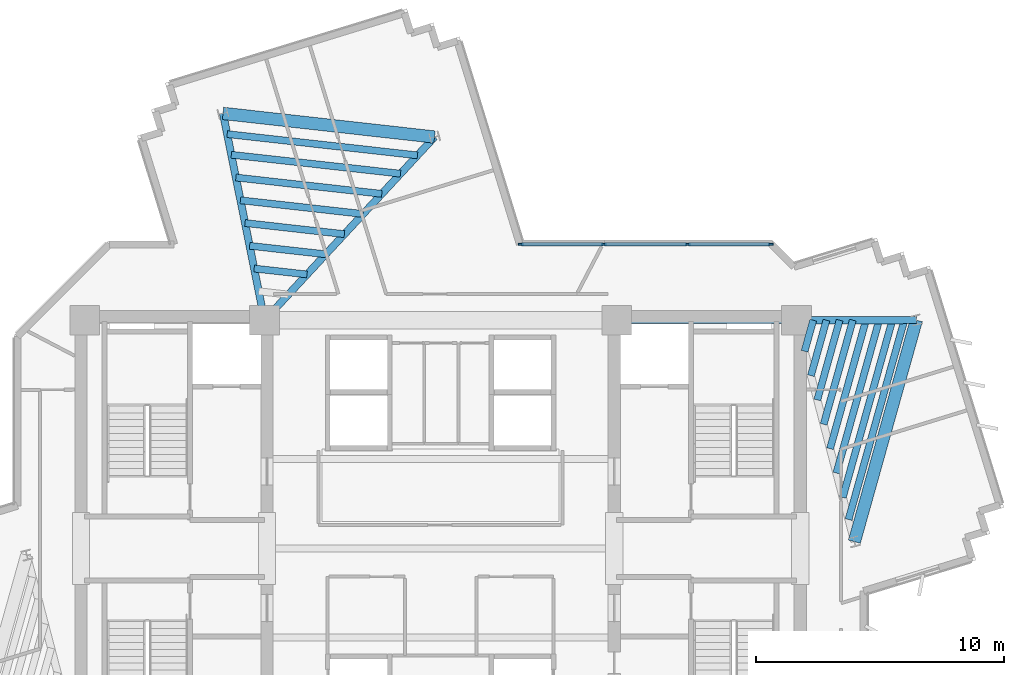
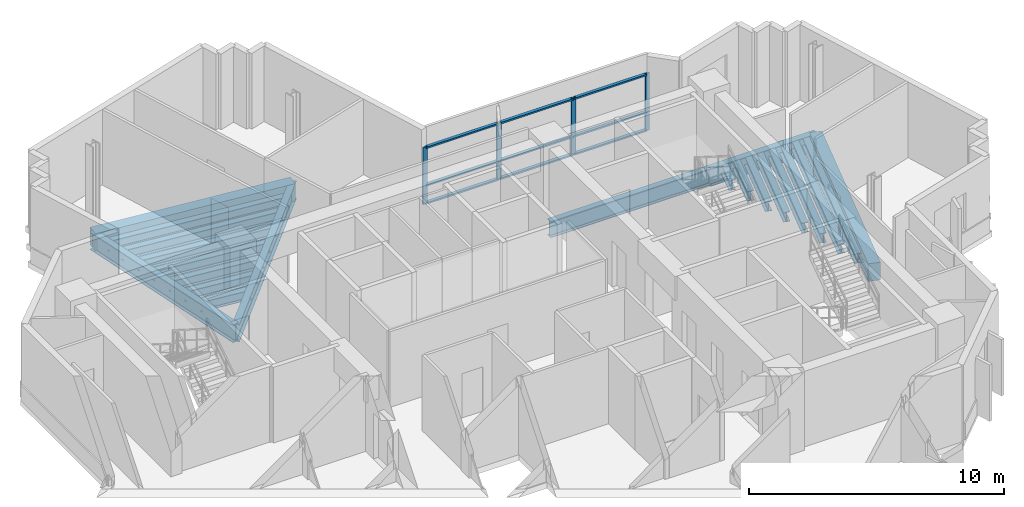
# One storey, part 3 of 13: 21 beams, 13 members, 1 element without a shape of its own.
"""IFC4 building model written with IfcOpenShell, lengths in metres."""

from ifc_helpers import new_model, si_unit, direction, frame, origin, origin_2d, place, context, subcontext, project, spatial, rectangle, i_section, extrude, source, transform, mapped, material, layer, layer_set, material_profile, profile_set, type_object, element, aggregate, save


model = new_model("IFC4")

# Units and contexts
model_context = context("Model", 3, precision=1e-05, world=origin(), true_north=direction((0.0, 1.0)))
body_context = subcontext(model_context, "Body", "Model", "MODEL_VIEW")
ifc_project = project(units=[si_unit("LENGTHUNIT", "METRE"), si_unit("AREAUNIT", "SQUARE_METRE"), si_unit("VOLUMEUNIT", "CUBIC_METRE"), si_unit("PLANEANGLEUNIT", "RADIAN"), si_unit("MASSUNIT", "GRAM", prefix="KILO")], contexts=[model_context])

# Site, building, storey
site_placement = place(None, origin())
site = spatial("IfcSite", under=ifc_project, at=site_placement, CompositionType="ELEMENT")
building_placement = place(site_placement, origin())
building = spatial("IfcBuilding", under=site, at=building_placement, Name="Zahravan Cultural Tower", CompositionType="ELEMENT")
storey_placement = place(building_placement, frame((0.0, 0.0, 213.60009765625)))
storey = spatial("IfcBuildingStorey", under=building, at=storey_placement, Name="L50", CompositionType="ELEMENT", Elevation=213.60009765625)

# Beams
ifc_material_1 = material(Name="Steel ASTM A992 Grade 50", Category="steel")
ifc_material_profile_1 = material_profile(ifc_material_1, i_section(OverallWidth=0.26611328125, OverallDepth=0.780029296875, WebThickness=0.0166015625, FlangeThickness=0.030029296875, FilletRadius=0.01904296875, at=origin_2d()), Name="W30X148")
ifc_profile_set_1 = profile_set([ifc_material_profile_1], Name="Steel ASTM A992 Grade 50")
beam_type_1 = type_object("IfcBeamType", Name="BM-G-W30X148", PredefinedType="BEAM", material=ifc_profile_set_1)
shared_shape_1 = source(origin(), body_context, "Body", "SweptSolid", [
    extrude(i_section(OverallWidth=0.26611328125, OverallDepth=0.780029296875, WebThickness=0.0166015625, FlangeThickness=0.030029296875, FilletRadius=0.01904296875, at=origin_2d()), origin(), (0.0, 0.0, 1.0), 7.25),
])
beam_1_placement = place(storey_placement, frame((43.10009765625, 36.199951171875, -0.670166015625), z_axis=(1.0, 0.0, 0.0), x_axis=(0.0, 1.0, 0.0)))
element("IfcBeam", 1, at=beam_1_placement, inside=storey, type_object=beam_type_1, Name="L50 Beam BG-L50-05", PredefinedType="BEAM", context=body_context, shape_type="MappedRepresentation", body=[
    mapped(shared_shape_1, transform((0.0, 0.0, 0.0), x_axis=(1.0, 0.0, 0.0), y_axis=(0.0, 1.0, 0.0), z_axis=(0.0, 0.0, 1.0), scale=1.0)),
])
ifc_material_2 = material(Name="Concrete C50/60", Category="concrete")
ifc_material_profile_2 = material_profile(ifc_material_2, rectangle(XDim=0.5, YDim=0.85009765625, at=origin_2d()), Name="RC500X850")
ifc_profile_set_2 = profile_set([ifc_material_profile_2], Name="Concrete C50/60")
beam_type_2 = type_object("IfcBeamType", Name="BM-SP-RC500X850", PredefinedType="SPANDREL", material=ifc_profile_set_2)
shared_shape_2 = source(origin(), body_context, "Body", "SweptSolid", [
    extrude(rectangle(XDim=0.5, YDim=0.85009765625, at=origin_2d()), origin(), (0.0, 0.0, 1.0), 9.2783203125),
])
beam_2_placement = place(storey_placement, frame((52.684326171875, 27.27099609375, -0.705078125), z_axis=(0.269497187032, 0.963001176625, 0.0), x_axis=(-0.963001176625, 0.269497187032, 0.0)))
element("IfcBeam", 2, at=beam_2_placement, inside=storey, type_object=beam_type_2, Name="L50 Beam SP-L50-17", PredefinedType="SPANDREL", context=body_context, shape_type="MappedRepresentation", body=[
    mapped(shared_shape_2, transform((0.0, 0.0, 0.0), x_axis=(1.0, 0.0, 0.0), y_axis=(0.0, 1.0, 0.0), z_axis=(0.0, 0.0, 1.0), scale=1.0)),
])
shared_shape_3 = source(origin(), body_context, "Body", "SweptSolid", [
    extrude(rectangle(XDim=0.5, YDim=0.85009765625, at=origin_2d()), origin(), (0.0, 0.0, 1.0), 8.579833984375),
])
beam_3_placement = place(storey_placement, frame((35.754638671875, 43.587646484375, -0.705078125), z_axis=(-0.9938040105, 0.11114669907, 0.0), x_axis=(-0.11114669907, -0.9938040105, 0.0)))
element("IfcBeam", 3, at=beam_3_placement, inside=storey, type_object=beam_type_2, Name="L50 Beam SP-L50-18", PredefinedType="SPANDREL", context=body_context, shape_type="MappedRepresentation", body=[
    mapped(shared_shape_3, transform((0.0, 0.0, 0.0), x_axis=(1.0, 0.0, 0.0), y_axis=(0.0, 1.0, 0.0), z_axis=(0.0, 0.0, 1.0), scale=1.0)),
])
ifc_material_profile_3 = material_profile(ifc_material_1, i_section(OverallWidth=0.29296875, OverallDepth=0.845947265625, WebThickness=0.015380859375, FlangeThickness=0.0244140625, FilletRadius=0.02001953125, at=origin_2d()), Name="W33X141")
ifc_profile_set_3 = profile_set([ifc_material_profile_3], Name="Steel ASTM A992 Grade 50")
beam_type_3 = type_object("IfcBeamType", Name="BM-G-W33X141", PredefinedType="BEAM", material=ifc_profile_set_3)
shared_shape_4 = source(origin(), body_context, "Body", "SweptSolid", [
    extrude(i_section(OverallWidth=0.29296875, OverallDepth=0.845947265625, WebThickness=0.015380859375, FlangeThickness=0.0244140625, FilletRadius=0.02001953125, at=origin_2d()), origin(), (0.0, 0.0, 1.0), 4.834716796875),
])
beam_4_placement = place(storey_placement, frame((50.35009765625, 36.199951171875, -0.703125), z_axis=(0.99999920313, 0.001262433979, 0.0), x_axis=(-0.001262433979, 0.99999920313, 0.0)))
element("IfcBeam", 4, at=beam_4_placement, inside=storey, type_object=beam_type_3, Name="L50 Beam BG-L50-12", PredefinedType="BEAM", context=body_context, shape_type="MappedRepresentation", body=[
    mapped(shared_shape_4, transform((0.0, 0.0, 0.0), x_axis=(1.0, 0.0, 0.0), y_axis=(0.0, 1.0, 0.0), z_axis=(0.0, 0.0, 1.0), scale=1.0)),
])
shared_shape_5 = source(origin(), body_context, "Body", "SweptSolid", [
    extrude(i_section(OverallWidth=0.29296875, OverallDepth=0.845947265625, WebThickness=0.015380859375, FlangeThickness=0.0244140625, FilletRadius=0.02001953125, at=origin_2d()), origin(), (0.0, 0.0, 1.0), 10.077880859375),
])
beam_5_placement = place(storey_placement, frame((28.89990234375, 36.199951171875, -0.703125), z_axis=(0.680170435587, 0.733054007938, 0.0), x_axis=(-0.733054007938, 0.680170435587, 0.0)))
element("IfcBeam", 5, at=beam_5_placement, inside=storey, type_object=beam_type_3, Name="L50 Beam BG-L50-13", PredefinedType="BEAM", context=body_context, shape_type="MappedRepresentation", body=[
    mapped(shared_shape_5, transform((0.0, 0.0, 0.0), x_axis=(1.0, 0.0, 0.0), y_axis=(0.0, 1.0, 0.0), z_axis=(0.0, 0.0, 1.0), scale=1.0)),
])
shared_shape_6 = source(origin(), body_context, "Body", "SweptSolid", [
    extrude(i_section(OverallWidth=0.29296875, OverallDepth=0.845947265625, WebThickness=0.015380859375, FlangeThickness=0.0244140625, FilletRadius=0.02001953125, at=origin_2d()), origin(), (0.0, 0.0, 1.0), 8.50732421875),
])
beam_6_placement = place(storey_placement, frame((28.89990234375, 36.199951171875, -0.703125), z_axis=(-0.196524514012, 0.980498911469, 0.0), x_axis=(-0.980498911469, -0.196524514012, 0.0)))
element("IfcBeam", 6, at=beam_6_placement, inside=storey, type_object=beam_type_3, Name="L50 Beam BG-L50-14", PredefinedType="BEAM", context=body_context, shape_type="MappedRepresentation", body=[
    mapped(shared_shape_6, transform((0.0, 0.0, 0.0), x_axis=(1.0, 0.0, 0.0), y_axis=(0.0, 1.0, 0.0), z_axis=(0.0, 0.0, 1.0), scale=1.0)),
])
ifc_material_profile_4 = material_profile(ifc_material_1, i_section(OverallWidth=0.280029296875, OverallDepth=0.462890625, WebThickness=0.0107421875, FlangeThickness=0.017333984375, FilletRadius=0.012939453125, at=origin_2d()), Name="W18X76")
ifc_profile_set_4 = profile_set([ifc_material_profile_4], Name="Steel ASTM A992 Grade 50")
beam_type_4 = type_object("IfcBeamType", Name="BM-J-W18X76", PredefinedType="JOIST", material=ifc_profile_set_4)
shared_shape_7 = source(origin(), body_context, "Body", "SweptSolid", [
    extrude(i_section(OverallWidth=0.280029296875, OverallDepth=0.462890625, WebThickness=0.0107421875, FlangeThickness=0.017333984375, FilletRadius=0.012939453125, at=origin_2d()), origin(), (0.0, 0.0, 1.0), 1.299072265625),
])
beam_7_placement = place(storey_placement, frame((50.6767578125, 34.949951171875, -0.51171875), z_axis=(0.269504444708, 0.962999145525, 0.0), x_axis=(-0.962999145525, 0.269504444708, 0.0)))
element("IfcBeam", 7, at=beam_7_placement, inside=storey, type_object=beam_type_4, Name="L50 Beam BJ-L50-38", PredefinedType="JOIST", context=body_context, shape_type="MappedRepresentation", body=[
    mapped(shared_shape_7, transform((0.0, 0.0, 0.0), x_axis=(1.0, 0.0, 0.0), y_axis=(0.0, 1.0, 0.0), z_axis=(0.0, 0.0, 1.0), scale=1.0)),
])
shared_shape_8 = source(origin(), body_context, "Body", "SweptSolid", [
    extrude(i_section(OverallWidth=0.280029296875, OverallDepth=0.462890625, WebThickness=0.0107421875, FlangeThickness=0.017333984375, FilletRadius=0.012939453125, at=origin_2d()), origin(), (0.0, 0.0, 1.0), 2.3193359375),
])
beam_8_placement = place(storey_placement, frame((50.93359375, 33.9677734375, -0.51171875), z_axis=(0.269462038626, 0.963011012263, 0.0), x_axis=(-0.963011012263, 0.269462038626, 0.0)))
element("IfcBeam", 8, at=beam_8_placement, inside=storey, type_object=beam_type_4, Name="L50 Beam BJ-L50-39", PredefinedType="JOIST", context=body_context, shape_type="MappedRepresentation", body=[
    mapped(shared_shape_8, transform((0.0, 0.0, 0.0), x_axis=(1.0, 0.0, 0.0), y_axis=(0.0, 1.0, 0.0), z_axis=(0.0, 0.0, 1.0), scale=1.0)),
])
shared_shape_9 = source(origin(), body_context, "Body", "SweptSolid", [
    extrude(i_section(OverallWidth=0.280029296875, OverallDepth=0.462890625, WebThickness=0.0107421875, FlangeThickness=0.017333984375, FilletRadius=0.012939453125, at=origin_2d()), origin(), (0.0, 0.0, 1.0), 3.340087890625),
])
beam_9_placement = place(storey_placement, frame((51.190185546875, 32.985595703125, -0.51171875), z_axis=(0.269562146951, 0.962982995141, 0.0), x_axis=(-0.962982995141, 0.269562146951, 0.0)))
element("IfcBeam", 9, at=beam_9_placement, inside=storey, type_object=beam_type_4, Name="L50 Beam BJ-L50-40", PredefinedType="JOIST", context=body_context, shape_type="MappedRepresentation", body=[
    mapped(shared_shape_9, transform((0.0, 0.0, 0.0), x_axis=(1.0, 0.0, 0.0), y_axis=(0.0, 1.0, 0.0), z_axis=(0.0, 0.0, 1.0), scale=1.0)),
])
shared_shape_10 = source(origin(), body_context, "Body", "SweptSolid", [
    extrude(i_section(OverallWidth=0.280029296875, OverallDepth=0.462890625, WebThickness=0.0107421875, FlangeThickness=0.017333984375, FilletRadius=0.012939453125, at=origin_2d()), origin(), (0.0, 0.0, 1.0), 4.36083984375),
])
beam_10_placement = place(storey_placement, frame((51.447021484375, 32.00341796875, -0.51171875), z_axis=(0.269511557673, 0.962997154866, 0.0), x_axis=(-0.962997154866, 0.269511557673, 0.0)))
element("IfcBeam", 10, at=beam_10_placement, inside=storey, type_object=beam_type_4, Name="L50 Beam BJ-L50-41", PredefinedType="JOIST", context=body_context, shape_type="MappedRepresentation", body=[
    mapped(shared_shape_10, transform((0.0, 0.0, 0.0), x_axis=(1.0, 0.0, 0.0), y_axis=(0.0, 1.0, 0.0), z_axis=(0.0, 0.0, 1.0), scale=1.0)),
])
shared_shape_11 = source(origin(), body_context, "Body", "SweptSolid", [
    extrude(i_section(OverallWidth=0.280029296875, OverallDepth=0.462890625, WebThickness=0.0107421875, FlangeThickness=0.017333984375, FilletRadius=0.012939453125, at=origin_2d()), origin(), (0.0, 0.0, 1.0), 5.3818359375),
])
beam_11_placement = place(storey_placement, frame((51.703857421875, 31.02099609375, -0.51171875), z_axis=(0.269510454638, 0.962997463569, 0.0), x_axis=(-0.962997463569, 0.269510454638, 0.0)))
element("IfcBeam", 11, at=beam_11_placement, inside=storey, type_object=beam_type_4, Name="L50 Beam BJ-L50-42", PredefinedType="JOIST", context=body_context, shape_type="MappedRepresentation", body=[
    mapped(shared_shape_11, transform((0.0, 0.0, 0.0), x_axis=(1.0, 0.0, 0.0), y_axis=(0.0, 1.0, 0.0), z_axis=(0.0, 0.0, 1.0), scale=1.0)),
])
shared_shape_12 = source(origin(), body_context, "Body", "SweptSolid", [
    extrude(i_section(OverallWidth=0.280029296875, OverallDepth=0.462890625, WebThickness=0.0107421875, FlangeThickness=0.017333984375, FilletRadius=0.012939453125, at=origin_2d()), origin(), (0.0, 0.0, 1.0), 6.402099609375),
])
beam_12_placement = place(storey_placement, frame((51.960693359375, 30.038818359375, -0.51171875), z_axis=(0.269494133533, 0.963002031146, 0.0), x_axis=(-0.963002031146, 0.269494133533, 0.0)))
element("IfcBeam", 12, at=beam_12_placement, inside=storey, type_object=beam_type_4, Name="L50 Beam BJ-L50-43", PredefinedType="JOIST", context=body_context, shape_type="MappedRepresentation", body=[
    mapped(shared_shape_12, transform((0.0, 0.0, 0.0), x_axis=(1.0, 0.0, 0.0), y_axis=(0.0, 1.0, 0.0), z_axis=(0.0, 0.0, 1.0), scale=1.0)),
])
shared_shape_13 = source(origin(), body_context, "Body", "SweptSolid", [
    extrude(i_section(OverallWidth=0.280029296875, OverallDepth=0.462890625, WebThickness=0.0107421875, FlangeThickness=0.017333984375, FilletRadius=0.012939453125, at=origin_2d()), origin(), (0.0, 0.0, 1.0), 7.4228515625),
])
beam_13_placement = place(storey_placement, frame((52.21728515625, 29.056640625, -0.51171875), z_axis=(0.269504266128, 0.962999195503, 0.0), x_axis=(-0.962999195503, 0.269504266128, 0.0)))
element("IfcBeam", 13, at=beam_13_placement, inside=storey, type_object=beam_type_4, Name="L50 Beam BJ-L50-44", PredefinedType="JOIST", context=body_context, shape_type="MappedRepresentation", body=[
    mapped(shared_shape_13, transform((0.0, 0.0, 0.0), x_axis=(1.0, 0.0, 0.0), y_axis=(0.0, 1.0, 0.0), z_axis=(0.0, 0.0, 1.0), scale=1.0)),
])
shared_shape_14 = source(origin(), body_context, "Body", "SweptSolid", [
    extrude(i_section(OverallWidth=0.280029296875, OverallDepth=0.462890625, WebThickness=0.0107421875, FlangeThickness=0.017333984375, FilletRadius=0.012939453125, at=origin_2d()), origin(), (0.0, 0.0, 1.0), 8.350830078125),
])
beam_14_placement = place(storey_placement, frame((52.450927734375, 28.163818359375, -0.51171875), z_axis=(0.269496539555, 0.963001357822, 0.0), x_axis=(-0.963001357822, 0.269496539555, 0.0)))
element("IfcBeam", 14, at=beam_14_placement, inside=storey, type_object=beam_type_4, Name="L50 Beam BJ-L50-45", PredefinedType="JOIST", context=body_context, shape_type="MappedRepresentation", body=[
    mapped(shared_shape_14, transform((0.0, 0.0, 0.0), x_axis=(1.0, 0.0, 0.0), y_axis=(0.0, 1.0, 0.0), z_axis=(0.0, 0.0, 1.0), scale=1.0)),
])
shared_shape_15 = source(origin(), body_context, "Body", "SweptSolid", [
    extrude(i_section(OverallWidth=0.280029296875, OverallDepth=0.462890625, WebThickness=0.0107421875, FlangeThickness=0.017333984375, FilletRadius=0.012939453125, at=origin_2d()), origin(), (0.0, 0.0, 1.0), 2.144775390625),
])
beam_15_placement = place(storey_placement, frame((30.613525390625, 38.046875, -0.51171875), z_axis=(-0.993797370806, 0.111206051, 0.0), x_axis=(-0.111206051, -0.993797370806, 0.0)))
element("IfcBeam", 15, at=beam_15_placement, inside=storey, type_object=beam_type_4, Name="L50 Beam BJ-L50-47", PredefinedType="JOIST", context=body_context, shape_type="MappedRepresentation", body=[
    mapped(shared_shape_15, transform((0.0, 0.0, 0.0), x_axis=(1.0, 0.0, 0.0), y_axis=(0.0, 1.0, 0.0), z_axis=(0.0, 0.0, 1.0), scale=1.0)),
])
shared_shape_16 = source(origin(), body_context, "Body", "SweptSolid", [
    extrude(i_section(OverallWidth=0.280029296875, OverallDepth=0.462890625, WebThickness=0.0107421875, FlangeThickness=0.017333984375, FilletRadius=0.012939453125, at=origin_2d()), origin(), (0.0, 0.0, 1.0), 3.088623046875),
])
beam_16_placement = place(storey_placement, frame((31.36767578125, 38.859619140625, -0.51171875), z_axis=(-0.993805407368, 0.111134208443, 0.0), x_axis=(-0.111134208443, -0.993805407368, 0.0)))
element("IfcBeam", 16, at=beam_16_placement, inside=storey, type_object=beam_type_4, Name="L50 Beam BJ-L50-48", PredefinedType="JOIST", context=body_context, shape_type="MappedRepresentation", body=[
    mapped(shared_shape_16, transform((0.0, 0.0, 0.0), x_axis=(1.0, 0.0, 0.0), y_axis=(0.0, 1.0, 0.0), z_axis=(0.0, 0.0, 1.0), scale=1.0)),
])
shared_shape_17 = source(origin(), body_context, "Body", "SweptSolid", [
    extrude(i_section(OverallWidth=0.280029296875, OverallDepth=0.462890625, WebThickness=0.0107421875, FlangeThickness=0.017333984375, FilletRadius=0.012939453125, at=origin_2d()), origin(), (0.0, 0.0, 1.0), 4.0322265625),
])
beam_17_placement = place(storey_placement, frame((32.12158203125, 39.672119140625, -0.51171875), z_axis=(-0.993802245601, 0.11116247855, 0.0), x_axis=(-0.11116247855, -0.993802245601, 0.0)))
element("IfcBeam", 17, at=beam_17_placement, inside=storey, type_object=beam_type_4, Name="L50 Beam BJ-L50-49", PredefinedType="JOIST", context=body_context, shape_type="MappedRepresentation", body=[
    mapped(shared_shape_17, transform((0.0, 0.0, 0.0), x_axis=(1.0, 0.0, 0.0), y_axis=(0.0, 1.0, 0.0), z_axis=(0.0, 0.0, 1.0), scale=1.0)),
])
shared_shape_18 = source(origin(), body_context, "Body", "SweptSolid", [
    extrude(i_section(OverallWidth=0.280029296875, OverallDepth=0.462890625, WebThickness=0.0107421875, FlangeThickness=0.017333984375, FilletRadius=0.012939453125, at=origin_2d()), origin(), (0.0, 0.0, 1.0), 4.97607421875),
])
beam_18_placement = place(storey_placement, frame((32.875732421875, 40.48486328125, -0.51171875), z_axis=(-0.993806308517, 0.111126149723, 0.0), x_axis=(-0.111126149723, -0.993806308517, 0.0)))
element("IfcBeam", 18, at=beam_18_placement, inside=storey, type_object=beam_type_4, Name="L50 Beam BJ-L50-50", PredefinedType="JOIST", context=body_context, shape_type="MappedRepresentation", body=[
    mapped(shared_shape_18, transform((0.0, 0.0, 0.0), x_axis=(1.0, 0.0, 0.0), y_axis=(0.0, 1.0, 0.0), z_axis=(0.0, 0.0, 1.0), scale=1.0)),
])
shared_shape_19 = source(origin(), body_context, "Body", "SweptSolid", [
    extrude(i_section(OverallWidth=0.280029296875, OverallDepth=0.462890625, WebThickness=0.0107421875, FlangeThickness=0.017333984375, FilletRadius=0.012939453125, at=origin_2d()), origin(), (0.0, 0.0, 1.0), 5.919921875),
])
beam_19_placement = place(storey_placement, frame((33.629638671875, 41.29736328125, -0.51171875), z_axis=(-0.993804520866, 0.111142135602, 0.0), x_axis=(-0.111142135602, -0.993804520866, 0.0)))
element("IfcBeam", 19, at=beam_19_placement, inside=storey, type_object=beam_type_4, Name="L50 Beam BJ-L50-51", PredefinedType="JOIST", context=body_context, shape_type="MappedRepresentation", body=[
    mapped(shared_shape_19, transform((0.0, 0.0, 0.0), x_axis=(1.0, 0.0, 0.0), y_axis=(0.0, 1.0, 0.0), z_axis=(0.0, 0.0, 1.0), scale=1.0)),
])
shared_shape_20 = source(origin(), body_context, "Body", "SweptSolid", [
    extrude(i_section(OverallWidth=0.280029296875, OverallDepth=0.462890625, WebThickness=0.0107421875, FlangeThickness=0.017333984375, FilletRadius=0.012939453125, at=origin_2d()), origin(), (0.0, 0.0, 1.0), 6.86376953125),
])
beam_20_placement = place(storey_placement, frame((34.3837890625, 42.110107421875, -0.51171875), z_axis=(-0.993803224695, 0.111153725024, 0.0), x_axis=(-0.111153725024, -0.993803224695, 0.0)))
element("IfcBeam", 20, at=beam_20_placement, inside=storey, type_object=beam_type_4, Name="L50 Beam BJ-L50-52", PredefinedType="JOIST", context=body_context, shape_type="MappedRepresentation", body=[
    mapped(shared_shape_20, transform((0.0, 0.0, 0.0), x_axis=(1.0, 0.0, 0.0), y_axis=(0.0, 1.0, 0.0), z_axis=(0.0, 0.0, 1.0), scale=1.0)),
])
shared_shape_21 = source(origin(), body_context, "Body", "SweptSolid", [
    extrude(i_section(OverallWidth=0.280029296875, OverallDepth=0.462890625, WebThickness=0.0107421875, FlangeThickness=0.017333984375, FilletRadius=0.012939453125, at=origin_2d()), origin(), (0.0, 0.0, 1.0), 7.7216796875),
])
beam_21_placement = place(storey_placement, frame((35.069091796875, 42.848876953125, -0.51171875), z_axis=(-0.993805212115, 0.11113595446, 0.0), x_axis=(-0.11113595446, -0.993805212115, 0.0)))
element("IfcBeam", 21, at=beam_21_placement, inside=storey, type_object=beam_type_4, Name="L50 Beam BJ-L50-53", PredefinedType="JOIST", context=body_context, shape_type="MappedRepresentation", body=[
    mapped(shared_shape_21, transform((0.0, 0.0, 0.0), x_axis=(1.0, 0.0, 0.0), y_axis=(0.0, 1.0, 0.0), z_axis=(0.0, 0.0, 1.0), scale=1.0)),
])

# Curtain wall, members
ifc_material_3 = material(Name="Anodised bronze-aluminium mullion", Category="aluminium")
ifc_layer = layer(ifc_material_3, 0.199951171875)
ifc_layer_set = layer_set([ifc_layer], Name="Anodised bronze-aluminium mullion")
curtain_wall_type = type_object("IfcCurtainWallType", Name="CW-SYS-2", PredefinedType="USERDEFINED", material=ifc_layer_set)
curtain_wall_placement = place(storey_placement, origin())
curtain_wall = element("IfcCurtainWall", 22, at=curtain_wall_placement, inside=storey, type_object=curtain_wall_type, Name="L50 Recessed Curtain Wall CW-2.2", ObjectType="RECESSED GLAZING", PredefinedType="USERDEFINED")
ifc_material_profile_5 = material_profile(ifc_material_3, rectangle(XDim=0.074951171875, YDim=0.199951171875, at=origin_2d()), Name="AL-M75X200")
ifc_profile_set_5 = profile_set([ifc_material_profile_5], Name="Anodised bronze-aluminium mullion")
member_type_1 = type_object("IfcMemberType", Name="CWM-CW-2", PredefinedType="MULLION", material=ifc_profile_set_5)
shared_shape_22 = source(origin(), body_context, "Body", "SweptSolid", [
    extrude(rectangle(XDim=0.074951171875, YDim=0.199951171875, at=origin_2d()), origin(), (0.0, 0.0, 1.0), 2.739990234375),
])
member_1_placement = place(storey_placement, frame((39.23388671875, 39.260009765625, 0.0), z_axis=(0.0, 0.0, 1.0), x_axis=(0.0, 1.0, 0.0)))
member_1 = element("IfcMember", 23, at=member_1_placement, type_object=member_type_1, Name="CW-2 mullion 1", PredefinedType="MULLION", context=body_context, shape_type="MappedRepresentation", body=[
    mapped(shared_shape_22, transform((0.0, 0.0, 0.0), x_axis=(1.0, 0.0, 0.0), y_axis=(0.0, 1.0, 0.0), z_axis=(0.0, 0.0, 1.0), scale=1.0)),
])
member_2_placement = place(storey_placement, frame((42.578369140625, 39.260009765625, 0.0), z_axis=(0.0, 0.0, 1.0), x_axis=(0.0, 1.0, 0.0)))
member_2 = element("IfcMember", 24, at=member_2_placement, type_object=member_type_1, Name="CW-2 mullion 2", PredefinedType="MULLION", context=body_context, shape_type="MappedRepresentation", body=[
    mapped(shared_shape_22, transform((0.0, 0.0, 0.0), x_axis=(1.0, 0.0, 0.0), y_axis=(0.0, 1.0, 0.0), z_axis=(0.0, 0.0, 1.0), scale=1.0)),
])
member_3_placement = place(storey_placement, frame((45.960205078125, 39.260009765625, 0.0), z_axis=(0.0, 0.0, 1.0), x_axis=(0.0, 1.0, 0.0)))
member_3 = element("IfcMember", 25, at=member_3_placement, type_object=member_type_1, Name="CW-2 mullion 3", PredefinedType="MULLION", context=body_context, shape_type="MappedRepresentation", body=[
    mapped(shared_shape_22, transform((0.0, 0.0, 0.0), x_axis=(1.0, 0.0, 0.0), y_axis=(0.0, 1.0, 0.0), z_axis=(0.0, 0.0, 1.0), scale=1.0)),
])
member_4_placement = place(storey_placement, frame((49.304443359375, 39.260009765625, 0.0), z_axis=(0.0, 0.0, 1.0), x_axis=(0.0, 1.0, 0.0)))
member_4 = element("IfcMember", 26, at=member_4_placement, type_object=member_type_1, Name="CW-2 mullion 4", PredefinedType="MULLION", context=body_context, shape_type="MappedRepresentation", body=[
    mapped(shared_shape_22, transform((0.0, 0.0, 0.0), x_axis=(1.0, 0.0, 0.0), y_axis=(0.0, 1.0, 0.0), z_axis=(0.0, 0.0, 1.0), scale=1.0)),
])
ifc_material_profile_6 = material_profile(ifc_material_3, rectangle(XDim=0.14990234375, YDim=0.074951171875, at=origin_2d()), Name="AL-T75X150")
ifc_profile_set_6 = profile_set([ifc_material_profile_6], Name="Anodised bronze-aluminium mullion")
member_type_2 = type_object("IfcMemberType", Name="CWT-CW-2", PredefinedType="USERDEFINED", material=ifc_profile_set_6)
shared_shape_23 = source(origin(), body_context, "Body", "SweptSolid", [
    extrude(rectangle(XDim=0.14990234375, YDim=0.074951171875, at=origin_2d()), origin(), (0.0, 0.0, 1.0), 3.269287109375),
])
member_5_placement = place(storey_placement, frame((39.271484375, 39.260009765625, 0.037353515625), z_axis=(1.0, 0.0, 0.0), x_axis=(0.0, 1.0, 0.0)))
member_5 = element("IfcMember", 27, at=member_5_placement, type_object=member_type_2, Name="CW-2 transom 1.1", ObjectType="TRANSOM", PredefinedType="USERDEFINED", context=body_context, shape_type="MappedRepresentation", body=[
    mapped(shared_shape_23, transform((0.0, 0.0, 0.0), x_axis=(1.0, 0.0, 0.0), y_axis=(0.0, 1.0, 0.0), z_axis=(0.0, 0.0, 1.0), scale=1.0)),
])
member_6_placement = place(storey_placement, frame((39.271484375, 39.260009765625, 0.89990234375), z_axis=(1.0, 0.0, 0.0), x_axis=(0.0, 1.0, 0.0)))
member_6 = element("IfcMember", 28, at=member_6_placement, type_object=member_type_2, Name="CW-2 transom 1.2", ObjectType="TRANSOM", PredefinedType="USERDEFINED", context=body_context, shape_type="MappedRepresentation", body=[
    mapped(shared_shape_23, transform((0.0, 0.0, 0.0), x_axis=(1.0, 0.0, 0.0), y_axis=(0.0, 1.0, 0.0), z_axis=(0.0, 0.0, 1.0), scale=1.0)),
])
member_7_placement = place(storey_placement, frame((39.271484375, 39.260009765625, 2.702392578125), z_axis=(1.0, 0.0, 0.0), x_axis=(0.0, 1.0, 0.0)))
member_7 = element("IfcMember", 29, at=member_7_placement, type_object=member_type_2, Name="CW-2 transom 1.3", ObjectType="TRANSOM", PredefinedType="USERDEFINED", context=body_context, shape_type="MappedRepresentation", body=[
    mapped(shared_shape_23, transform((0.0, 0.0, 0.0), x_axis=(1.0, 0.0, 0.0), y_axis=(0.0, 1.0, 0.0), z_axis=(0.0, 0.0, 1.0), scale=1.0)),
])
shared_shape_24 = source(origin(), body_context, "Body", "SweptSolid", [
    extrude(rectangle(XDim=0.14990234375, YDim=0.074951171875, at=origin_2d()), origin(), (0.0, 0.0, 1.0), 3.306884765625),
])
member_8_placement = place(storey_placement, frame((42.61572265625, 39.260009765625, 0.037353515625), z_axis=(1.0, 0.0, 0.0), x_axis=(0.0, 1.0, 0.0)))
member_8 = element("IfcMember", 30, at=member_8_placement, type_object=member_type_2, Name="CW-2 transom 2.1", ObjectType="TRANSOM", PredefinedType="USERDEFINED", context=body_context, shape_type="MappedRepresentation", body=[
    mapped(shared_shape_24, transform((0.0, 0.0, 0.0), x_axis=(1.0, 0.0, 0.0), y_axis=(0.0, 1.0, 0.0), z_axis=(0.0, 0.0, 1.0), scale=1.0)),
])
member_9_placement = place(storey_placement, frame((42.61572265625, 39.260009765625, 0.89990234375), z_axis=(1.0, 0.0, 0.0), x_axis=(0.0, 1.0, 0.0)))
member_9 = element("IfcMember", 31, at=member_9_placement, type_object=member_type_2, Name="CW-2 transom 2.2", ObjectType="TRANSOM", PredefinedType="USERDEFINED", context=body_context, shape_type="MappedRepresentation", body=[
    mapped(shared_shape_24, transform((0.0, 0.0, 0.0), x_axis=(1.0, 0.0, 0.0), y_axis=(0.0, 1.0, 0.0), z_axis=(0.0, 0.0, 1.0), scale=1.0)),
])
member_10_placement = place(storey_placement, frame((42.61572265625, 39.260009765625, 2.702392578125), z_axis=(1.0, 0.0, 0.0), x_axis=(0.0, 1.0, 0.0)))
member_10 = element("IfcMember", 32, at=member_10_placement, type_object=member_type_2, Name="CW-2 transom 2.3", ObjectType="TRANSOM", PredefinedType="USERDEFINED", context=body_context, shape_type="MappedRepresentation", body=[
    mapped(shared_shape_24, transform((0.0, 0.0, 0.0), x_axis=(1.0, 0.0, 0.0), y_axis=(0.0, 1.0, 0.0), z_axis=(0.0, 0.0, 1.0), scale=1.0)),
])
shared_shape_25 = source(origin(), body_context, "Body", "SweptSolid", [
    extrude(rectangle(XDim=0.14990234375, YDim=0.074951171875, at=origin_2d()), origin(), (0.0, 0.0, 1.0), 3.26953125),
])
member_11_placement = place(storey_placement, frame((45.99755859375, 39.260009765625, 0.037353515625), z_axis=(1.0, 0.0, 0.0), x_axis=(0.0, 1.0, 0.0)))
member_11 = element("IfcMember", 33, at=member_11_placement, type_object=member_type_2, Name="CW-2 transom 3.1", ObjectType="TRANSOM", PredefinedType="USERDEFINED", context=body_context, shape_type="MappedRepresentation", body=[
    mapped(shared_shape_25, transform((0.0, 0.0, 0.0), x_axis=(1.0, 0.0, 0.0), y_axis=(0.0, 1.0, 0.0), z_axis=(0.0, 0.0, 1.0), scale=1.0)),
])
member_12_placement = place(storey_placement, frame((45.99755859375, 39.260009765625, 0.89990234375), z_axis=(1.0, 0.0, 0.0), x_axis=(0.0, 1.0, 0.0)))
member_12 = element("IfcMember", 34, at=member_12_placement, type_object=member_type_2, Name="CW-2 transom 3.2", ObjectType="TRANSOM", PredefinedType="USERDEFINED", context=body_context, shape_type="MappedRepresentation", body=[
    mapped(shared_shape_25, transform((0.0, 0.0, 0.0), x_axis=(1.0, 0.0, 0.0), y_axis=(0.0, 1.0, 0.0), z_axis=(0.0, 0.0, 1.0), scale=1.0)),
])
member_13_placement = place(storey_placement, frame((45.99755859375, 39.260009765625, 2.702392578125), z_axis=(1.0, 0.0, 0.0), x_axis=(0.0, 1.0, 0.0)))
member_13 = element("IfcMember", 35, at=member_13_placement, type_object=member_type_2, Name="CW-2 transom 3.3", ObjectType="TRANSOM", PredefinedType="USERDEFINED", context=body_context, shape_type="MappedRepresentation", body=[
    mapped(shared_shape_25, transform((0.0, 0.0, 0.0), x_axis=(1.0, 0.0, 0.0), y_axis=(0.0, 1.0, 0.0), z_axis=(0.0, 0.0, 1.0), scale=1.0)),
])
aggregate(curtain_wall, [member_1, member_2, member_3, member_4, member_5, member_6, member_7, member_8, member_9, member_10, member_11, member_12, member_13])

save(model, "model.ifc")
